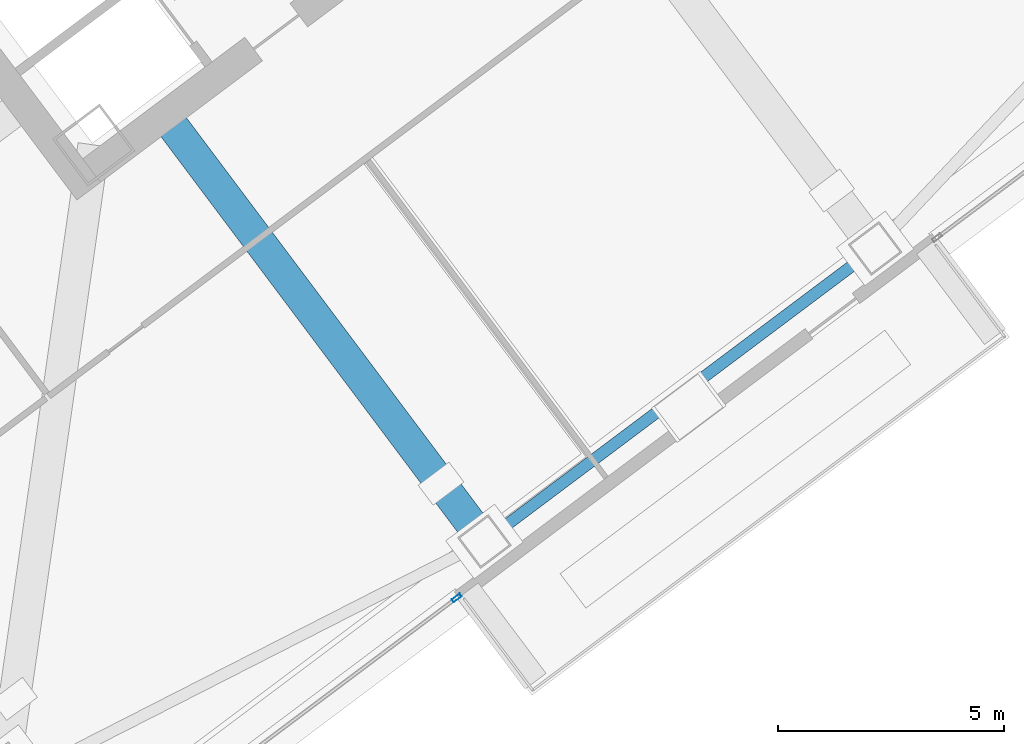
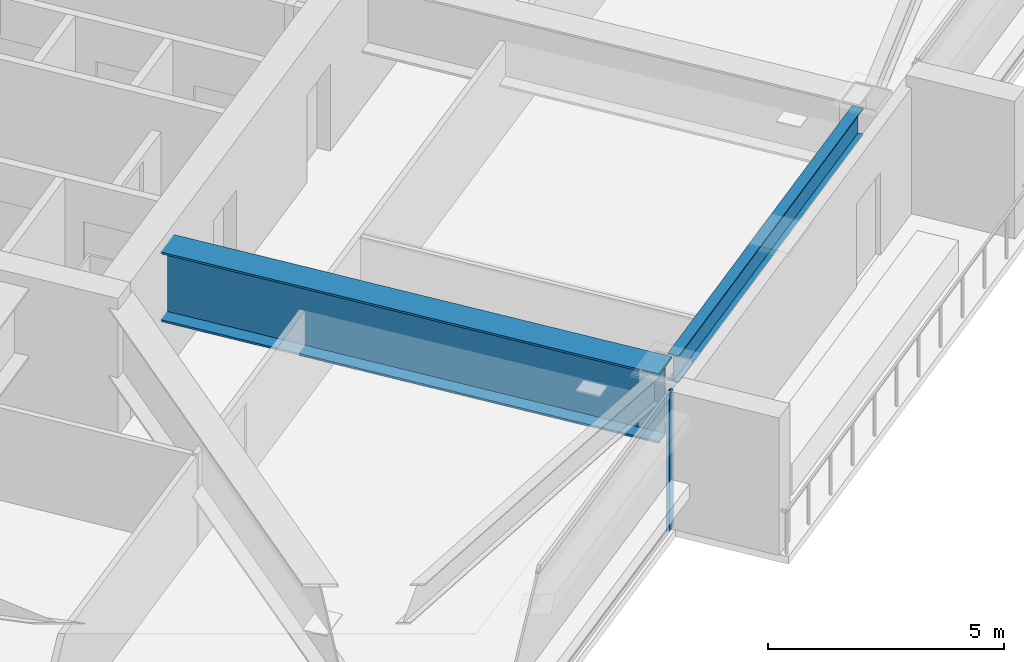
# One storey, part 25 of 49: 2 beams, 1 member, 1 element without a shape of its own.
"""IFC4 building model written with IfcOpenShell, lengths in metres."""

from ifc_helpers import new_model, si_unit, direction, frame, origin, origin_2d, place, context, subcontext, project, spatial, hollow_rectangle, i_section, extrude, material, material_profile, profile_set, type_object, element, aggregate, save


model = new_model("IFC4")

# Units and contexts
model_context = context("Model", 3, precision=1e-05, world=origin(), true_north=direction((0.0, 1.0)))
body_context = subcontext(model_context, "Body", "Model", "MODEL_VIEW")
ifc_project = project(units=[si_unit("LENGTHUNIT", "METRE"), si_unit("AREAUNIT", "SQUARE_METRE"), si_unit("VOLUMEUNIT", "CUBIC_METRE"), si_unit("PLANEANGLEUNIT", "RADIAN"), si_unit("MASSUNIT", "GRAM", prefix="KILO")], contexts=[model_context])

# Site, building, storey
site_placement = place(None, origin())
site = spatial("IfcSite", under=ifc_project, at=site_placement, CompositionType="ELEMENT")
building_placement = place(site_placement, origin())
building = spatial("IfcBuilding", under=site, at=building_placement, Name="Tashvorn Skyway Center", CompositionType="ELEMENT")
storey_placement = place(building_placement, frame((0.0, 0.0, 106.25)))
storey = spatial("IfcBuildingStorey", under=building, at=storey_placement, Name="L28", CompositionType="ELEMENT", Elevation=106.25)

# Beams
ifc_material_1 = material(Name="Steel ASTM A572 Grade 50", Category="steel")
ifc_material_profile_1 = material_profile(ifc_material_1, i_section(OverallWidth=0.699951171875, OverallDepth=1.800048828125, WebThickness=0.031982421875, FlangeThickness=0.050048828125, at=origin_2d()), Name="PG1800x700")
ifc_profile_set_1 = profile_set([ifc_material_profile_1], Name="Steel ASTM A572 Grade 50")
beam_type_1 = type_object("IfcBeamType", Name="BM-BEAM-PG1800x700", PredefinedType="BEAM", material=ifc_profile_set_1)
beam_1_placement = place(storey_placement, frame((121.22998046875, 13.360107421875, 2.35009765625), z_axis=(-0.600013622557, 0.799989782901, 0.0), x_axis=(-0.799989782901, -0.600013622557, 0.0)))
element("IfcBeam", 1, at=beam_1_placement, inside=storey, type_object=beam_type_1, Name="Tower 2 L28 Setback Transfer Girder FC-S1", PredefinedType="BEAM", context=body_context, shape_type="SweptSolid", body=[
    extrude(i_section(OverallWidth=0.699951171875, OverallDepth=1.800048828125, WebThickness=0.031982421875, FlangeThickness=0.050048828125, at=origin_2d()), origin(), (0.0, 0.0, 1.0), 11.469970703125),
])
ifc_material_2 = material(Name="Steel ASTM A992 Grade 50", Category="steel")
ifc_material_profile_2 = material_profile(ifc_material_2, i_section(OverallWidth=0.256103515625, OverallDepth=0.693115234375, WebThickness=0.014404296875, FlangeThickness=0.023681640625, at=origin_2d()), Name="W27X114")
ifc_profile_set_2 = profile_set([ifc_material_profile_2], Name="Steel ASTM A992 Grade 50")
beam_type_2 = type_object("IfcBeamType", Name="BM-SPANDREL-W27X114", PredefinedType="SPANDREL", material=ifc_profile_set_2)
beam_2_placement = place(storey_placement, frame((121.56591796875, 13.612060546875, 2.903564453125), z_axis=(0.800008824351, 0.599988234018, 0.0), x_axis=(-0.599988234018, 0.800008824351, 0.0)))
element("IfcBeam", 2, at=beam_2_placement, inside=storey, type_object=beam_type_2, Name="Tower 2 L28 Spandrel Beam 02", PredefinedType="SPANDREL", context=body_context, shape_type="SweptSolid", body=[
    extrude(i_section(OverallWidth=0.256103515625, OverallDepth=0.693115234375, WebThickness=0.014404296875, FlangeThickness=0.023681640625, at=origin_2d()), origin(), (0.0, 0.0, 1.0), 9.9599609375),
])

# Curtain wall, member
ifc_material_3 = material(Name="Thermally broken bronze-anodized aluminium 6063-T6", Category="aluminium")
curtain_wall_type = type_object("IfcCurtainWallType", Name="CW-CW-Z2", PredefinedType="NOTDEFINED", material=ifc_material_3)
curtain_wall_placement = place(storey_placement, origin())
curtain_wall = element("IfcCurtainWall", 3, at=curtain_wall_placement, inside=storey, type_object=curtain_wall_type, Name="Tower 2 L28 South Curtain Wall R", PredefinedType="NOTDEFINED")
ifc_material_profile_3 = material_profile(ifc_material_3, hollow_rectangle(XDim=0.080078125, YDim=0.219970703125, WallThickness=0.0048828125, at=origin_2d()), Name="ALU-MULL-80x220")
ifc_profile_set_3 = profile_set([ifc_material_profile_3], Name="Thermally broken bronze-anodized aluminium 6063-T6")
member_type = type_object("IfcMemberType", Name="CWM-CW-Z2", PredefinedType="MULLION", material=ifc_profile_set_3)
member_placement = place(storey_placement, frame((120.615966796875, 12.112060546875, 0.0), z_axis=(0.0, 0.0, 1.0), x_axis=(0.600000000002, -0.799999999998, 0.0)))
member = element("IfcMember", 4, at=member_placement, type_object=member_type, Name="CW-Z2 mullion 1", PredefinedType="MULLION", context=body_context, shape_type="SweptSolid", body=[
    extrude(hollow_rectangle(XDim=0.080078125, YDim=0.219970703125, WallThickness=0.0048828125, at=origin_2d()), origin(), (0.0, 0.0, 1.0), 3.550048828125),
])
aggregate(curtain_wall, [member])

save(model, "model.ifc")
